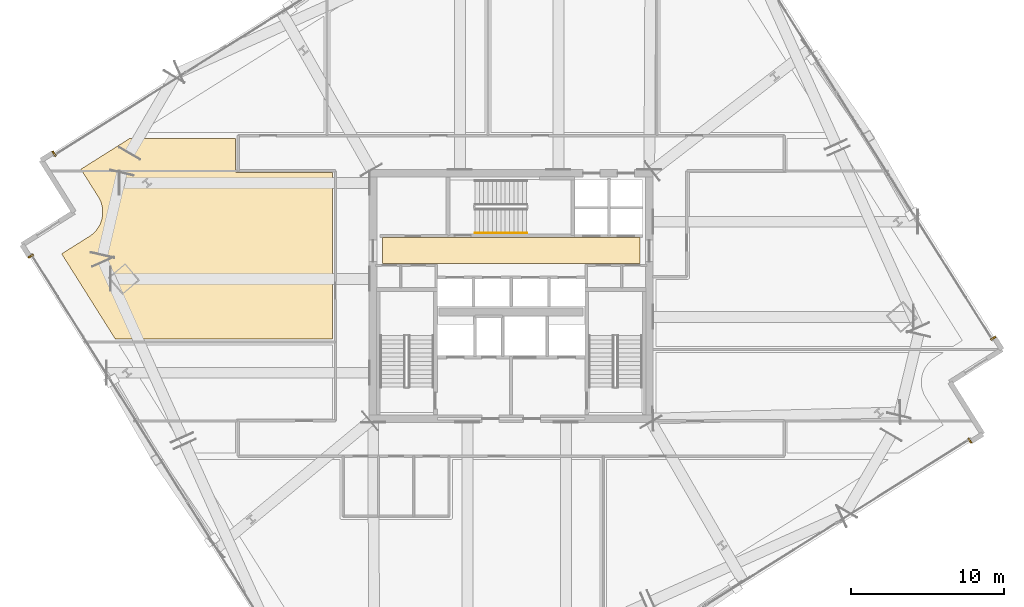
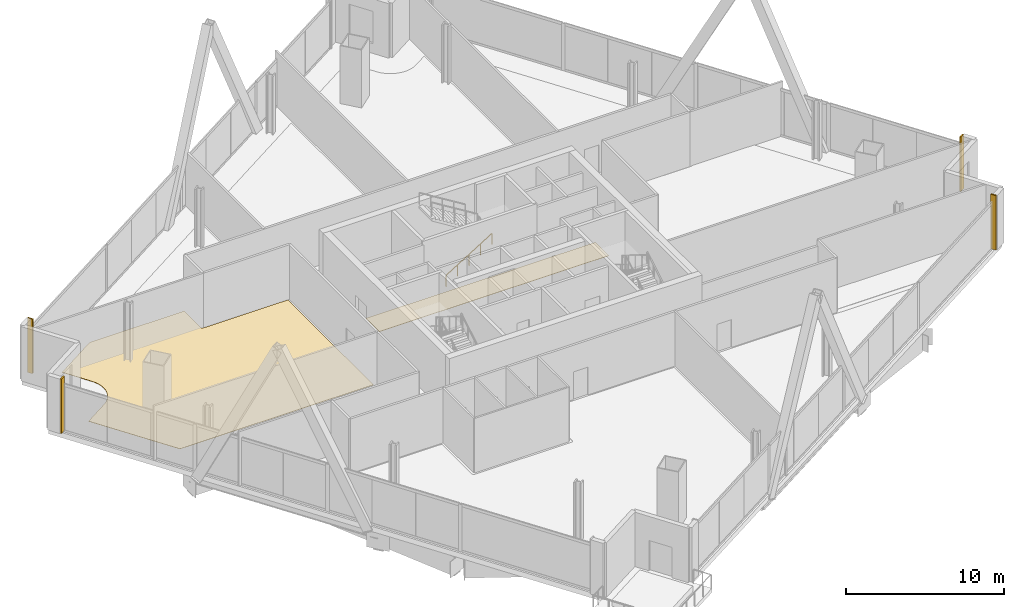
# One storey, part 27 of 29: 6 coverings, 1 railing.
"""IFC4 building model written with IfcOpenShell, lengths in metres."""

from ifc_helpers import new_model, si_unit, direction, frame, origin, origin_2d, place, context, subcontext, project, spatial, polyline, rectangle, outline, extrude, source, transform, mapped, material, layer, layer_set, type_object, element, save


model = new_model("IFC4")

# Units and contexts
model_context = context("Model", 3, precision=1e-05, world=origin(), true_north=direction((0.0, 1.0)))
body_context = subcontext(model_context, "Body", "Model", "MODEL_VIEW")
ifc_project = project(units=[si_unit("LENGTHUNIT", "METRE"), si_unit("AREAUNIT", "SQUARE_METRE"), si_unit("VOLUMEUNIT", "CUBIC_METRE"), si_unit("PLANEANGLEUNIT", "RADIAN"), si_unit("MASSUNIT", "GRAM", prefix="KILO")], contexts=[model_context])

# Site, building, storey
site_placement = place(None, origin())
site = spatial("IfcSite", under=ifc_project, at=site_placement, CompositionType="ELEMENT")
building_placement = place(site_placement, origin())
building = spatial("IfcBuilding", under=site, at=building_placement, Name="Haldenkirk Collegiate Tower", CompositionType="ELEMENT")
storey_placement = place(building_placement, frame((0.0, 0.0, 136.199951171875)))
storey = spatial("IfcBuildingStorey", under=building, at=storey_placement, Name="L33", CompositionType="ELEMENT", Elevation=136.199951171875)

# Coverings
ifc_material_1 = material(Name="Polished collegiate terrazzo", Category="concrete")
ifc_layer_1 = layer(ifc_material_1, 0.02490234375)
ifc_layer_set_1 = layer_set([ifc_layer_1], Name="Polished collegiate terrazzo")
covering_type_1 = type_object("IfcCoveringType", Name="COV-FLOOR-TERRAZZO", PredefinedType="FLOORING", material=ifc_layer_set_1)
covering_1_placement = place(storey_placement, origin())
element("IfcCovering", 1, at=covering_1_placement, inside=storey, type_object=covering_type_1, Name="L33 polished terrazzo lobby finish", PredefinedType="FLOORING", context=body_context, shape_type="SweptSolid", body=[
    extrude(outline(polyline([(27.60009765625, 28.10009765625), (44.39990234375, 28.10009765625), (44.39990234375, 29.800048828125), (27.60009765625, 29.800048828125), (27.60009765625, 28.10009765625)])), origin(), (0.0, 0.0, 1.0), 0.025146484375),
])
covering_2_placement = place(storey_placement, origin())
element("IfcCovering", 2, at=covering_2_placement, inside=storey, type_object=covering_type_1, Name="L33 academic room finish 08", PredefinedType="FLOORING", context=body_context, shape_type="SweptSolid", body=[
    extrude(outline(polyline([(8.506103515625, 29.875244140625), (8.510986328125, 29.87841796875), (8.65185546875, 29.97705078125), (8.6611328125, 29.984130859375), (8.79150390625, 30.095947265625), (8.800048828125, 30.104248046875), (8.918701171875, 30.228271484375), (8.926513671875, 30.237060546875), (9.032470703125, 30.372314453125), (9.039306640625, 30.3818359375), (9.131591796875, 30.526611328125), (9.137451171875, 30.537109375), (9.215087890625, 30.690185546875), (9.2197265625, 30.700927734375), (9.281982421875, 30.861083984375), (9.28564453125, 30.872314453125), (9.331787109375, 31.03759765625), (9.33447265625, 31.049072265625), (9.3642578125, 31.21826171875), (9.36572265625, 31.229736328125), (9.37890625, 31.401123046875), (9.379150390625, 31.4130859375), (9.37548828125, 31.584716796875), (9.37451171875, 31.596435546875), (9.35400390625, 31.766845703125), (9.351806640625, 31.778564453125), (9.314697265625, 31.946044921875), (9.3115234375, 31.95751953125), (9.258056640625, 32.12060546875), (9.25390625, 32.131591796875), (9.184814453125, 32.288818359375), (9.179443359375, 32.29931640625), (9.09521484375, 32.44921875), (9.092041015625, 32.4541015625), (7.95703125, 34.256591796875), (11.12255859375, 36.25), (18.030029296875, 36.25), (18.030029296875, 34.14990234375), (18.030517578125, 34.13818359375), (18.0322265625, 34.126708984375), (18.03515625, 34.115234375), (18.0390625, 34.10400390625), (18.044189453125, 34.093505859375), (18.05029296875, 34.083251953125), (18.05712890625, 34.073974609375), (18.065185546875, 34.065185546875), (18.073974609375, 34.05712890625), (18.083251953125, 34.05029296875), (18.093505859375, 34.044189453125), (18.10400390625, 34.0390625), (18.115234375, 34.03515625), (18.126708984375, 34.0322265625), (18.13818359375, 34.030517578125), (18.14990234375, 34.030029296875), (24.35009765625, 34.030029296875), (24.35009765625, 23.199951171875), (10.192626953125, 23.199951171875), (6.703857421875, 28.740234375), (8.506103515625, 29.875244140625)])), origin(), (0.0, 0.0, 1.0), 0.025146484375),
])

# Railing
ifc_material_2 = material(Name="Painted architectural tubular steel", Category="steel")
railing_type = type_object("IfcRailingType", Name="RLG-STAIR-HANDRAIL-900", PredefinedType="HANDRAIL", material=ifc_material_2)
railing_placement = place(storey_placement, frame((33.64990234375, 30.10009765625, 0.173095703125)))
element("IfcRailing", 3, at=railing_placement, inside=storey, type_object=railing_type, Name="L33 ST-3 stair handrail 1", PredefinedType="HANDRAIL", context=body_context, shape_type="SweptSolid", body=[
    extrude(rectangle(XDim=0.048095703125, YDim=0.048095703125, at=origin_2d()), frame((0.0, 0.0, 0.8759765625), z_axis=(0.850623216509, 0.0, 0.525775754039), x_axis=(0.0, 1.0, 0.0)), (0.0, 0.0, 1.0), 3.9501953125),
    extrude(rectangle(XDim=0.0419921875, YDim=0.0419921875, at=origin_2d()), origin(), (0.0, 0.0, 1.0), 0.851806640625),
    extrude(rectangle(XDim=0.0419921875, YDim=0.0419921875, at=origin_2d()), frame((0.840087890625, 0.0, 0.519287109375)), (0.0, 0.0, 1.0), 0.851806640625),
    extrude(rectangle(XDim=0.0419921875, YDim=0.0419921875, at=origin_2d()), frame((1.68017578125, 0.0, 1.03857421875)), (0.0, 0.0, 1.0), 0.851806640625),
    extrude(rectangle(XDim=0.0419921875, YDim=0.0419921875, at=origin_2d()), frame((2.52001953125, 0.0, 1.5576171875)), (0.0, 0.0, 1.0), 0.851806640625),
    extrude(rectangle(XDim=0.0419921875, YDim=0.0419921875, at=origin_2d()), frame((3.360107421875, 0.0, 2.076904296875)), (0.0, 0.0, 1.0), 0.851806640625),
])

# Coverings
ifc_material_3 = material(Name="Anodised architectural bronze aluminium", Category="aluminium")
ifc_layer_2 = layer(ifc_material_3, 0.06005859375)
ifc_layer_set_2 = layer_set([ifc_layer_2], Name="Anodised architectural bronze aluminium")
covering_type_2 = type_object("IfcCoveringType", Name="COV-CLAD-BRONZE-60", PredefinedType="CLADDING", material=ifc_layer_set_2)
shared_shape = source(origin(), body_context, "Body", "SweptSolid", [
    extrude(rectangle(XDim=0.10009765625, YDim=0.3798828125, at=origin_2d()), origin(), (0.0, 0.0, 1.0), 4.2099609375),
])
for number, where, z_axis, x_axis, name in (
    (4, (65.893310546875, 16.56884765625, 0.0), (0.0, 0.0, 1.0), (-0.846193166128, -0.532876276071, 0.0), "L33 recessed curtain-wall bronze jamb closure SJL"),
    (5, (67.409912109375, 23.24365234375, 0.0), (0.0, 0.0, 1.0), (0.532876276071, -0.846193166128, 0.0), "L33 recessed curtain-wall bronze jamb closure EJR"),
    (6, (6.213134765625, 35.26171875, 0.0), (0.0, 0.0, 1.0), (0.846193166128, 0.532876276071, 0.0), "L33 recessed curtain-wall bronze jamb closure NJL"),
    (7, (4.69677734375, 28.587158203125, 0.0), (0.0, 0.0, 1.0), (-0.532876276071, 0.846193166128, 0.0), "L33 recessed curtain-wall bronze jamb closure WJR"),
):
    element("IfcCovering", number, at=place(storey_placement, frame(where, z_axis=z_axis, x_axis=x_axis)), inside=storey, type_object=covering_type_2, Name=name, PredefinedType="CLADDING", context=body_context, shape_type="MappedRepresentation", body=[
        mapped(shared_shape, transform((0.0, 0.0, 0.0), x_axis=(1.0, 0.0, 0.0), y_axis=(0.0, 1.0, 0.0), z_axis=(0.0, 0.0, 1.0), scale=1.0)),
    ])

save(model, "model.ifc")
